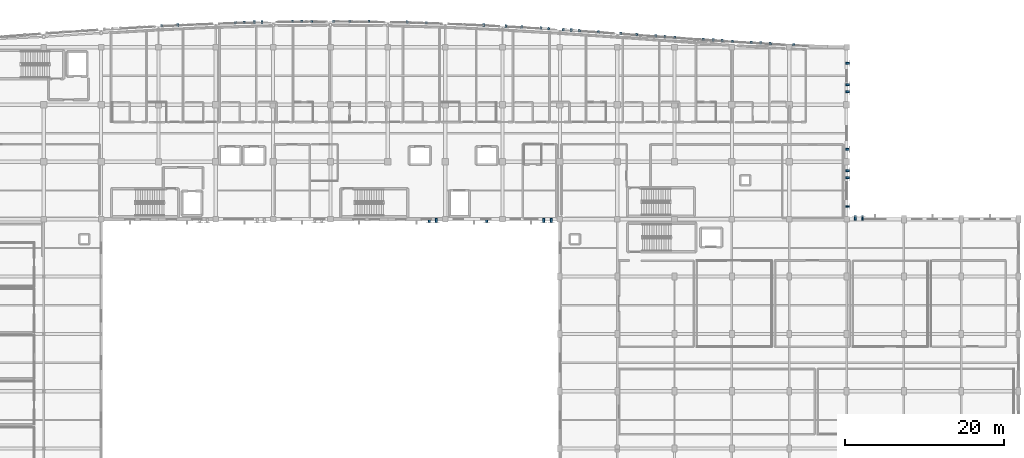
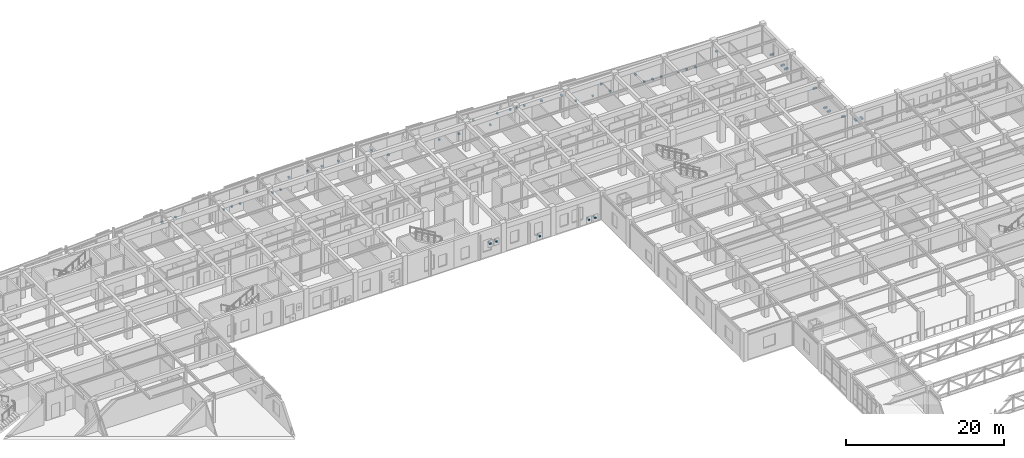
# One storey, part 93 of 106: 50 discrete accessories.
"""IFC4 building model written with IfcOpenShell, lengths in metres."""

from ifc_helpers import new_model, si_unit, direction, frame, origin, origin_2d, place, context, subcontext, project, spatial, rectangle, extrude, material, type_object, element, save


model = new_model("IFC4")

# Units and contexts
model_context = context("Model", 3, precision=1e-05, world=origin(), true_north=direction((0.0, 1.0)))
body_context = subcontext(model_context, "Body", "Model", "MODEL_VIEW")
ifc_project = project(units=[si_unit("LENGTHUNIT", "METRE"), si_unit("AREAUNIT", "SQUARE_METRE"), si_unit("VOLUMEUNIT", "CUBIC_METRE"), si_unit("PLANEANGLEUNIT", "RADIAN"), si_unit("MASSUNIT", "GRAM", prefix="KILO")], contexts=[model_context])

# Site, building, storey
site_placement = place(None, origin())
site = spatial("IfcSite", under=ifc_project, at=site_placement, CompositionType="ELEMENT")
building_placement = place(site_placement, origin())
building = spatial("IfcBuilding", under=site, at=building_placement, Name="Carrowvane Square Congress Hotel", CompositionType="ELEMENT")
storey_placement = place(building_placement, frame((0.0, 0.0, 10.5)))
storey = spatial("IfcBuildingStorey", under=building, at=storey_placement, Name="L02", CompositionType="ELEMENT", Elevation=10.5)

# Discrete accessories
ifc_material = material(Name="Stainless steel 316", Category="steel")
discrete_accessory_type = type_object("IfcDiscreteAccessoryType", Name="ACC-BRK-SS", PredefinedType="BRACKET", material=ifc_material)
for number, where, z_axis, x_axis, name in (
    (1, (76.79052734375, 116.097412109375, 2.02978515625), (0.0, 0.0, 1.0), (0.998733066647, 0.050321581706, 0.0), "Pixel screen mullion bracket 110"),
    (2, (78.831298828125, 116.199951171875, 2.02978515625), (0.0, 0.0, 1.0), (0.998968255262, 0.045413929349, 0.0), "Pixel screen mullion bracket 111"),
    (3, (86.027587890625, 116.48779296875, 0.56005859375), (0.0, 0.0, 1.0), (0.999589805464, 0.028639497417, 0.0), "Pixel screen mullion bracket 112"),
    (4, (87.19775390625, 116.521240234375, 0.56005859375), (0.0, 0.0, 1.0), (0.999589805464, 0.028639497417, 0.0), "Pixel screen mullion bracket 113"),
    (5, (88.43310546875, 116.556396484375, 0.56005859375), (0.0, 0.0, 1.0), (0.999746418061, 0.022518871507, 0.0), "Pixel screen mullion bracket 114"),
    (6, (89.402099609375, 116.578369140625, 2.02978515625), (0.0, 0.0, 1.0), (0.999746418061, 0.022518871507, 0.0), "Pixel screen mullion bracket 115"),
    (7, (93.234130859375, 116.64892578125, 0.56005859375), (0.0, 0.0, 1.0), (0.999952150705, 0.009782448565, 0.0), "Pixel screen mullion bracket 116"),
    (8, (94.399169921875, 116.660400390625, 0.56005859375), (0.0, 0.0, 1.0), (0.999952150705, 0.009782448565, 0.0), "Pixel screen mullion bracket 117"),
    (9, (95.629638671875, 116.67236328125, 2.02978515625), (0.0, 0.0, 1.0), (0.999994654955, 0.003269565853, 0.0), "Pixel screen mullion bracket 118"),
    (10, (98.420166015625, 116.6787109375, 2.02978515625), (0.0, 0.0, 1.0), (0.999994654955, -0.003269565853, 0.0), "Pixel screen mullion bracket 119"),
    (11, (100.4306640625, 116.671875, 2.02978515625), (0.0, 0.0, 1.0), (0.999952150705, -0.009782448565, 0.0), "Pixel screen mullion bracket 120"),
    (12, (102.836181640625, 116.648193359375, 2.02978515625), (0.0, 0.0, 1.0), (0.999868508772, -0.016216200758, 0.0), "Pixel screen mullion bracket 121"),
    (13, (107.63720703125, 116.5546875, 2.02978515625), (0.0, 0.0, 1.0), (0.999589805464, -0.028639497417, 0.0), "Pixel screen mullion bracket 122"),
    (14, (110.03271484375, 116.48583984375, 0.56005859375), (0.0, 0.0, 1.0), (0.999403768784, -0.034526901703, 0.0), "Pixel screen mullion bracket 123"),
    (15, (117.239013671875, 116.196533203125, 0.56005859375), (0.0, 0.0, 1.0), (0.998733066647, -0.050321581706, 0.0), "Pixel screen mullion bracket 124"),
    (16, (120.038818359375, 116.0537109375, 0.56005859375), (0.0, 0.0, 1.0), (0.998496552462, -0.054814548441, 0.0), "Pixel screen mullion bracket 125"),
    (17, (122.03955078125, 115.943603515625, 2.02978515625), (0.0, 0.0, 1.0), (0.998266695506, -0.05885239709, 0.0), "Pixel screen mullion bracket 126"),
    (18, (124.434814453125, 115.80224609375, 0.56005859375), (0.0, 0.0, 1.0), (0.998051413269, -0.062396926785, 0.0), "Pixel screen mullion bracket 127"),
    (19, (125.425048828125, 115.740478515625, 2.02978515625), (0.0, 0.0, 1.0), (0.998051413269, -0.062396926785, 0.0), "Pixel screen mullion bracket 128"),
    (20, (127.24853515625, 115.625, 2.02978515625), (0.0, 0.0, 1.0), (0.99785825325, -0.065413350476, 0.0), "Pixel screen mullion bracket 129"),
    (21, (128.20947265625, 115.56201171875, 2.02978515625), (0.0, 0.0, 1.0), (0.99785825325, -0.065413350476, 0.0), "Pixel screen mullion bracket 130"),
    (22, (129.2353515625, 115.49462890625, 2.02978515625), (0.0, 0.0, 1.0), (0.9976944394, -0.067866085713, 0.0), "Pixel screen mullion bracket 131"),
    (23, (131.640380859375, 115.3310546875, 2.02978515625), (0.0, 0.0, 1.0), (0.997566258056, -0.069724893606, 0.0), "Pixel screen mullion bracket 132"),
    (24, (134.446044921875, 115.134521484375, 2.02978515625), (0.0, 0.0, 1.0), (0.997479379392, -0.070956942496, 0.0), "Pixel screen mullion bracket 133"),
    (25, (136.440673828125, 114.992431640625, 0.56005859375), (0.0, 0.0, 1.0), (0.997438267187, -0.071532532122, 0.0), "Pixel screen mullion bracket 134"),
    (26, (138.835693359375, 114.82080078125, 0.56005859375), (0.0, 0.0, 1.0), (0.997446326449, -0.071420066188, 0.0), "Pixel screen mullion bracket 135"),
    (27, (140.005615234375, 114.737060546875, 2.02978515625), (0.0, 0.0, 1.0), (0.997446326449, -0.071420066188, 0.0), "Pixel screen mullion bracket 136"),
    (28, (141.240478515625, 114.648681640625, 0.56005859375), (0.0, 0.0, 1.0), (0.997505756275, -0.070585169822, 0.0), "Pixel screen mullion bracket 137"),
    (29, (144.805419921875, 114.398193359375, 2.02978515625), (0.0, 0.0, 1.0), (0.99761759323, -0.068986503591, 0.0), "Pixel screen mullion bracket 138"),
    (30, (146.040283203125, 114.31298828125, 0.56005859375), (0.0, 0.0, 1.0), (0.997781458784, -0.066574473385, 0.0), "Pixel screen mullion bracket 139"),
    (31, (147.205322265625, 114.2353515625, 0.56005859375), (0.0, 0.0, 1.0), (0.997781458784, -0.066574473385, 0.0), "Pixel screen mullion bracket 140"),
    (32, (148.43505859375, 114.1533203125, 0.56005859375), (0.0, 0.0, 1.0), (0.997996022269, -0.063276690295, 0.0), "Pixel screen mullion bracket 141"),
    (33, (150.839599609375, 114.0009765625, 0.56005859375), (0.0, 0.0, 1.0), (0.998258866948, -0.05898503675, 0.0), "Pixel screen mullion bracket 142"),
    (34, (152.004638671875, 113.93212890625, 0.56005859375), (0.0, 0.0, 1.0), (0.998258866948, -0.05898503675, 0.0), "Pixel screen mullion bracket 143"),
    (35, (153.234130859375, 113.859619140625, 0.56005859375), (0.0, 0.0, 1.0), (0.998566941363, -0.053516947007, 0.0), "Pixel screen mullion bracket 144"),
    (36, (156.18310546875, 113.70556640625, 2.02978515625), (0.0, 0.0, 1.0), (0.99891730083, -0.046521243556, 0.0), "Pixel screen mullion bracket 145"),
):
    element("IfcDiscreteAccessory", number, at=place(storey_placement, frame(where, z_axis=z_axis, x_axis=x_axis)), inside=storey, type_object=discrete_accessory_type, Name=name, PredefinedType="BRACKET", context=body_context, shape_type="SweptSolid", body=[
        extrude(rectangle(XDim=0.239990234375, YDim=0.280029296875, at=origin_2d()), origin(), (0.0, 0.0, 1.0), 0.239990234375),
    ])
for number, where, z_axis, x_axis, name in (
    (37, (162.9599609375, 111.39990234375, 0.56005859375), (0.0, 0.0, 1.0), (0.0, -1.0, 0.0), "V5 pixel screen bracket 146"),
    (38, (162.9599609375, 108.699951171875, 0.56005859375), (0.0, 0.0, 1.0), (0.0, -1.0, 0.0), "V5 pixel screen bracket 147"),
    (39, (162.9599609375, 107.800048828125, 0.56005859375), (0.0, 0.0, 1.0), (0.0, -1.0, 0.0), "V5 pixel screen bracket 148"),
    (40, (162.9599609375, 100.60009765625, 1.93017578125), (0.0, 0.0, 1.0), (0.0, -1.0, 0.0), "V5 pixel screen bracket 149"),
    (41, (162.9599609375, 97.89990234375, 0.56005859375), (0.0, 0.0, 1.0), (0.0, -1.0, 0.0), "V5 pixel screen bracket 150"),
    (42, (162.9599609375, 97.0, 0.56005859375), (0.0, 0.0, 1.0), (0.0, -1.0, 0.0), "V5 pixel screen bracket 151"),
    (43, (162.9599609375, 93.39990234375, 1.93017578125), (0.0, 0.0, 1.0), (0.0, -1.0, 0.0), "V5 pixel screen bracket 152"),
    (44, (163.89990234375, 91.9599609375, 1.93017578125), (0.0, 0.0, 1.0), (1.0, 0.0, 0.0), "V5 pixel screen bracket 153"),
    (45, (164.800048828125, 91.9599609375, 1.93017578125), (0.0, 0.0, 1.0), (1.0, 0.0, 0.0), "V5 pixel screen bracket 154"),
    (46, (125.699951171875, 91.639892578125, 0.56005859375), (0.0, 0.0, 1.0), (-1.0, 0.0, 0.0), "V5 pixel screen bracket 155"),
    (47, (124.800048828125, 91.639892578125, 0.56005859375), (0.0, 0.0, 1.0), (-1.0, 0.0, 0.0), "V5 pixel screen bracket 156"),
    (48, (117.60009765625, 91.639892578125, 0.56005859375), (0.0, 0.0, 1.0), (-1.0, 0.0, 0.0), "V5 pixel screen bracket 157"),
    (49, (111.300048828125, 91.639892578125, 1.93017578125), (0.0, 0.0, 1.0), (-1.0, 0.0, 0.0), "V5 pixel screen bracket 158"),
    (50, (110.39990234375, 91.639892578125, 1.93017578125), (0.0, 0.0, 1.0), (-1.0, 0.0, 0.0), "V5 pixel screen bracket 159"),
):
    element("IfcDiscreteAccessory", number, at=place(storey_placement, frame(where, z_axis=z_axis, x_axis=x_axis)), inside=storey, type_object=discrete_accessory_type, Name=name, PredefinedType="BRACKET", context=body_context, shape_type="SweptSolid", body=[
        extrude(rectangle(XDim=0.239990234375, YDim=0.52001953125, at=origin_2d()), origin(), (0.0, 0.0, 1.0), 0.239990234375),
    ])

save(model, "model.ifc")
